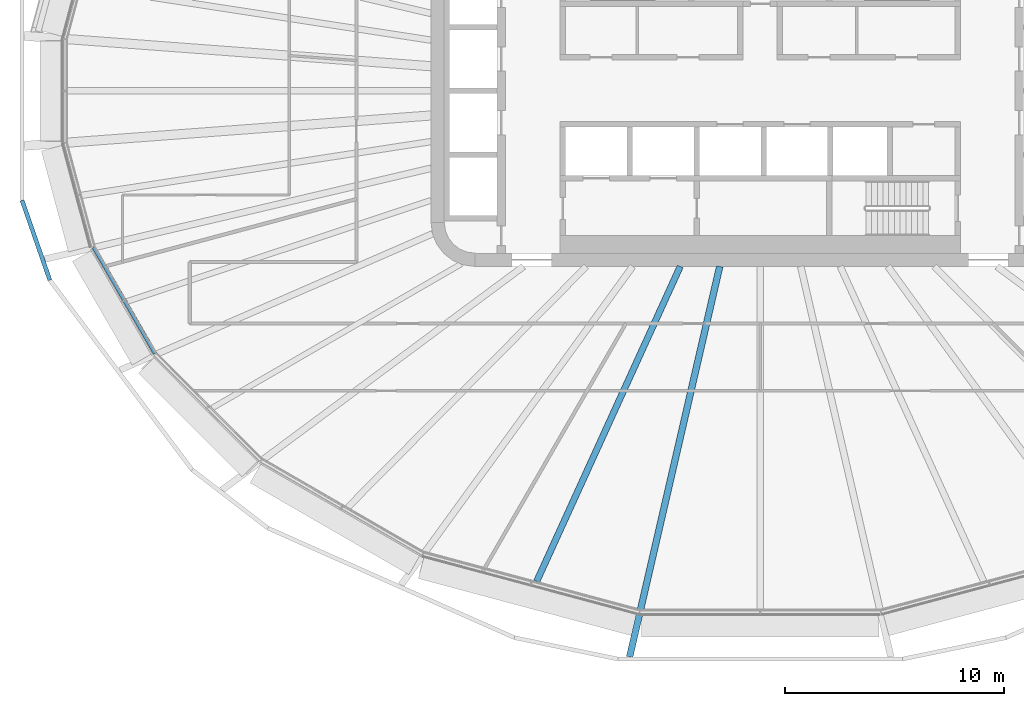
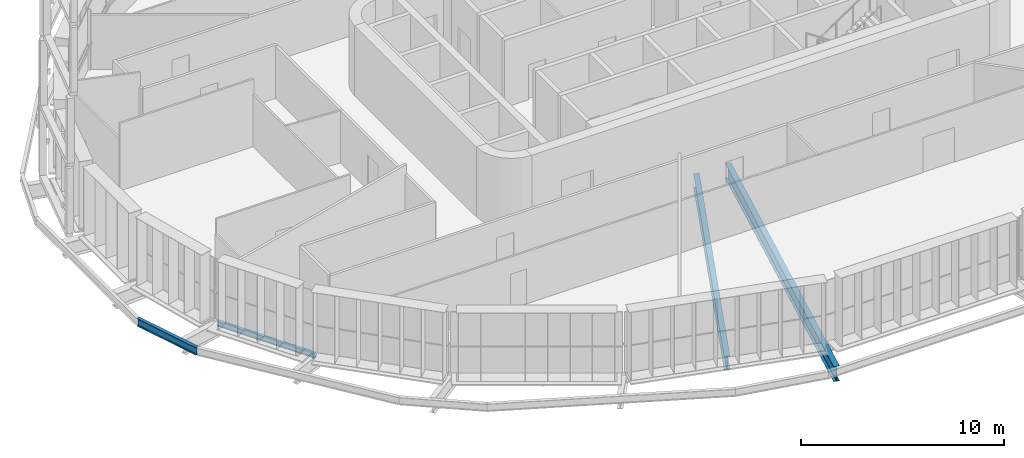
# One storey, part 2 of 25: 4 beams.
"""IFC4 building model written with IfcOpenShell, lengths in metres."""

from ifc_helpers import new_model, si_unit, direction, frame, origin, origin_2d, place, context, subcontext, project, spatial, i_section, extrude, material, material_profile, profile_set, type_object, element, save


model = new_model("IFC4")

# Units and contexts
model_context = context("Model", 3, precision=1e-05, world=origin(), true_north=direction((0.0, 1.0)))
body_context = subcontext(model_context, "Body", "Model", "MODEL_VIEW")
ifc_project = project(units=[si_unit("LENGTHUNIT", "METRE"), si_unit("AREAUNIT", "SQUARE_METRE"), si_unit("VOLUMEUNIT", "CUBIC_METRE"), si_unit("PLANEANGLEUNIT", "RADIAN"), si_unit("MASSUNIT", "GRAM", prefix="KILO")], contexts=[model_context])

# Site, building, storey
site_placement = place(None, origin())
site = spatial("IfcSite", under=ifc_project, at=site_placement, CompositionType="ELEMENT")
building_placement = place(site_placement, origin())
building = spatial("IfcBuilding", under=site, at=building_placement, Name="Sahrelin Media Tower", CompositionType="ELEMENT")
storey_placement = place(building_placement, frame((0.0, 0.0, 127.199951171875)))
storey = spatial("IfcBuildingStorey", under=building, at=storey_placement, Name="L25", CompositionType="ELEMENT", Elevation=127.199951171875)

# Beams
ifc_material = material(Name="Steel S355", Category="steel")
ifc_material_profile_1 = material_profile(ifc_material, i_section(OverallWidth=0.1650390625, OverallDepth=0.303466796875, WebThickness=0.006103515625, FlangeThickness=0.01025390625, FilletRadius=0.0087890625, at=origin_2d()), Name="UB 305x165x40")
ifc_profile_set_1 = profile_set([ifc_material_profile_1], Name="Steel S355")
beam_type_1 = type_object("IfcBeamType", Name="Edge beam EB2", PredefinedType="BEAM", material=ifc_profile_set_1)
beam_1_placement = place(storey_placement, frame((-27.572021484375, -11.9677734375, -0.3017578125), z_axis=(-0.500012514453, 0.866018178441, 0.0), x_axis=(-0.866018178441, -0.500012514453, 0.0)))
element("IfcBeam", 1, at=beam_1_placement, inside=storey, type_object=beam_type_1, Name="Edge beam L25-11", PredefinedType="BEAM", context=body_context, shape_type="SweptSolid", body=[
    extrude(i_section(OverallWidth=0.1650390625, OverallDepth=0.303466796875, WebThickness=0.006103515625, FlangeThickness=0.01025390625, FilletRadius=0.0087890625, at=origin_2d()), origin(), (0.0, 0.0, 1.0), 5.585693359375),
])
ifc_material_profile_2 = material_profile(ifc_material, i_section(OverallWidth=0.30322265625, OverallDepth=0.903076171875, WebThickness=0.01513671875, FlangeThickness=0.020263671875, FilletRadius=0.01904296875, at=origin_2d()), Name="UB 914x305x201")
ifc_profile_set_2 = profile_set([ifc_material_profile_2], Name="Steel S355")
beam_type_2 = type_object("IfcBeamType", Name="Radial primary beam PB11", PredefinedType="BEAM", material=ifc_profile_set_2)
beam_2_placement = place(storey_placement, frame((-1.845703125, -8.0, -0.6015625), z_axis=(-0.224828260072, -0.974398405927, 0.0), x_axis=(0.974398405927, -0.224828260072, 0.0)))
element("IfcBeam", 2, at=beam_2_placement, inside=storey, type_object=beam_type_2, Name="Radial beam L25-18", PredefinedType="BEAM", context=body_context, shape_type="SweptSolid", body=[
    extrude(i_section(OverallWidth=0.30322265625, OverallDepth=0.903076171875, WebThickness=0.01513671875, FlangeThickness=0.020263671875, FilletRadius=0.01904296875, at=origin_2d()), origin(), (0.0, 0.0, 1.0), 18.260498046875),
])
ifc_material_profile_3 = material_profile(ifc_material, i_section(OverallWidth=0.291748046875, OverallDepth=0.8349609375, WebThickness=0.013916015625, FlangeThickness=0.018798828125, FilletRadius=0.017822265625, at=origin_2d()), Name="UB 838x292x176")
ifc_profile_set_3 = profile_set([ifc_material_profile_3], Name="Steel S355")
beam_type_3 = type_object("IfcBeamType", Name="Radial secondary beam SB10", PredefinedType="BEAM", material=ifc_profile_set_3)
beam_3_placement = place(storey_placement, frame((-3.645751953125, -8.0, -0.5673828125), z_axis=(-0.414698674727, -0.90995879532, 0.0), x_axis=(0.90995879532, -0.414698674727, 0.0)))
element("IfcBeam", 3, at=beam_3_placement, inside=storey, type_object=beam_type_3, Name="Secondary beam L25-13", PredefinedType="BEAM", context=body_context, shape_type="SweptSolid", body=[
    extrude(i_section(OverallWidth=0.291748046875, OverallDepth=0.8349609375, WebThickness=0.013916015625, FlangeThickness=0.018798828125, FilletRadius=0.017822265625, at=origin_2d()), origin(), (0.0, 0.0, 1.0), 15.767578125),
])
ifc_material_profile_4 = material_profile(ifc_material, i_section(OverallWidth=0.1904296875, OverallDepth=0.45703125, WebThickness=0.009033203125, FlangeThickness=0.014404296875, FilletRadius=0.01025390625, at=origin_2d()), Name="UB 457x191x74")
ifc_profile_set_4 = profile_set([ifc_material_profile_4], Name="Steel S355")
beam_type_4 = type_object("IfcBeamType", Name="Tie chord TC5", PredefinedType="BEAM", material=ifc_profile_set_4)
beam_4_placement = place(storey_placement, frame((-33.634033203125, -4.9921875, -0.37841796875), z_axis=(0.328725187138, -0.944425619803, 0.0), x_axis=(0.944425619803, 0.328725187138, 0.0)))
element("IfcBeam", 4, at=beam_4_placement, inside=storey, type_object=beam_type_4, Name="Tie chord L25-13", PredefinedType="BEAM", context=body_context, shape_type="SweptSolid", body=[
    extrude(i_section(OverallWidth=0.1904296875, OverallDepth=0.45703125, WebThickness=0.009033203125, FlangeThickness=0.014404296875, FilletRadius=0.01025390625, at=origin_2d()), origin(), (0.0, 0.0, 1.0), 3.842041015625),
])

save(model, "model.ifc")
